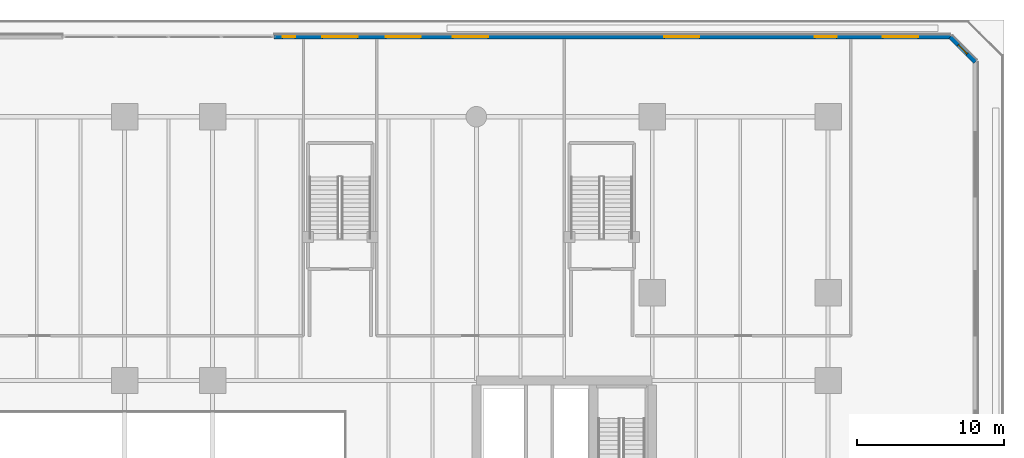
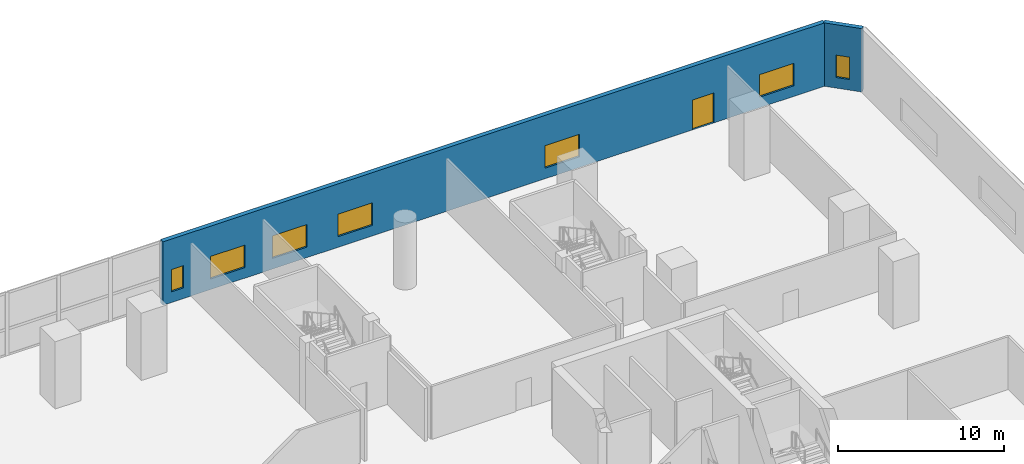
# One storey, part 12 of 24: 7 windows, 2 walls, 1 door, 8 openings.
"""IFC4 building model written with IfcOpenShell, lengths in metres."""

import ifcopenshell
import ifcopenshell.guid

model = None  # the IFC model being written
_history = None  # IfcOwnerHistory: only IFC2X3 demands one
_inside = {}  # id of a spatial element -> (the spatial element, [elements in it])
_under = {}  # id of a project, library or spatial element -> (it, [spatial elements below it])
_declared = {}  # id of a project -> (the project, [libraries it declares])
_typed = {}  # id of a type object -> (the type object, [elements of that type])
_made_of = {}  # id of a material, layer set ... -> (it, [elements and type objects made of it])


def new_model(schema):
    """Start an empty IFC model of exactly this schema.

    Asked for "IFC4X3", IfcOpenShell would pick the latest addendum, in which some entities
    have other attributes; the version numbers below select the first issue.
    IFC2X3 requires an IfcOwnerHistory on every rooted entity: one is made here for all.
    """
    global model, _history
    if schema == "IFC4X3":
        model = ifcopenshell.file(schema_version=(4, 3, 0, 0))
    else:
        model = ifcopenshell.file(schema=schema)
    _inside.clear()
    _under.clear()
    _declared.clear()
    _typed.clear()
    _made_of.clear()
    _history = None
    if model.schema == "IFC2X3":
        org = make("IfcOrganization", Name="unknown")
        user = make(
            "IfcPersonAndOrganization",
            ThePerson=make("IfcPerson", FamilyName="unknown"),
            TheOrganization=org,
        )
        app = make(
            "IfcApplication",
            ApplicationDeveloper=org,
            Version="unknown",
            ApplicationFullName="unknown",
            ApplicationIdentifier="unknown",
        )
        _history = make(
            "IfcOwnerHistory",
            OwningUser=user,
            OwningApplication=app,
            ChangeAction="ADDED",
            CreationDate=0,
        )
    return model


def make(cls, **values):
    """One entity of the class cls with the attributes given. An attribute that is None is left unset."""
    return model.create_entity(
        cls, **{name: value for name, value in values.items() if value is not None}
    )


def rooted(cls, **values):
    """An entity with a GlobalId (a new one), such as an element, a storey or a relation."""
    return make(cls, GlobalId=ifcopenshell.guid.new(), OwnerHistory=_history, **values)


def si_unit(unit_type, name, prefix=None):
    """IfcSIUnit, for example si_unit("LENGTHUNIT", "METRE", prefix="MILLI")."""
    return make("IfcSIUnit", UnitType=unit_type, Prefix=prefix, Name=name)


def assignment(units):
    """IfcUnitAssignment: the units of a project."""
    return None if units is None else make("IfcUnitAssignment", Units=units)


def point(xyz):
    """IfcCartesianPoint."""
    return None if xyz is None else make("IfcCartesianPoint", Coordinates=xyz)


def direction(xyz):
    """IfcDirection."""
    return None if xyz is None else make("IfcDirection", DirectionRatios=xyz)


def frame(location, z_axis=None, x_axis=None):
    """IfcAxis2Placement3D, a coordinate frame: its origin and axes. An axis left out is left unset."""
    return make(
        "IfcAxis2Placement3D",
        Location=point(location),
        Axis=direction(z_axis),
        RefDirection=direction(x_axis),
    )


def frame_2d(location, x_axis=None):
    """IfcAxis2Placement2D, a coordinate frame in the plane: its origin and x axis."""
    return make(
        "IfcAxis2Placement2D", Location=point(location), RefDirection=direction(x_axis)
    )


def origin():
    """The frame at (0, 0, 0) with its axes left unset."""
    return frame((0.0, 0.0, 0.0))


def place(relative_to, where):
    """IfcLocalPlacement: puts the frame where relative to a parent placement (None: the world)."""
    return make(
        "IfcLocalPlacement", PlacementRelTo=relative_to, RelativePlacement=where
    )


def context(
    kind, dimensions, precision=None, world=None, true_north=None, identifier=None
):
    """IfcGeometricRepresentationContext, for example the 3D "Model" context."""
    return make(
        "IfcGeometricRepresentationContext",
        ContextIdentifier=identifier,
        ContextType=kind,
        CoordinateSpaceDimension=dimensions,
        Precision=precision,
        WorldCoordinateSystem=world,
        TrueNorth=true_north,
    )


def subcontext(parent, identifier, kind, view, scale=None):
    """IfcGeometricRepresentationSubContext, for example "Body" below "Model"."""
    return make(
        "IfcGeometricRepresentationSubContext",
        ContextIdentifier=identifier,
        ContextType=kind,
        ParentContext=parent,
        TargetScale=scale,
        TargetView=view,
    )


def project(units=None, contexts=None):
    """IfcProject with its units and contexts."""
    return rooted(
        "IfcProject",
        Name="project",
        RepresentationContexts=contexts,
        UnitsInContext=assignment(units),
    )


def spatial(cls, under=None, at=None, **own):
    """A site, building, storey or space (cls), placed at a placement, below another one or the project."""
    s = rooted(cls, ObjectPlacement=at, **own)
    if under is not None:
        _under.setdefault(under.id(), (under, []))[1].append(s)
    return s


def profile(cls, at=None, kind="AREA", **sizes):
    """A parametric profile (cls). Its sizes go by their IFC names, for example OverallWidth=200.0."""
    return make(cls, ProfileType=kind, Position=at, **sizes)


def rectangle(**sizes):
    """IfcRectangleProfileDef."""
    return profile("IfcRectangleProfileDef", **sizes)


def extrude(swept, where, along, depth):
    """IfcExtrudedAreaSolid: the profile swept, set in the frame where, extruded along a direction by depth."""
    return make(
        "IfcExtrudedAreaSolid",
        SweptArea=swept,
        Position=where,
        ExtrudedDirection=direction(along),
        Depth=depth,
    )


def shape(context_of_items, identifier, shape_type, items):
    """IfcShapeRepresentation: the items that make up one representation, for example the "Body"."""
    return make(
        "IfcShapeRepresentation",
        ContextOfItems=context_of_items,
        RepresentationIdentifier=identifier,
        RepresentationType=shape_type,
        Items=items,
    )


def material(Name=None, Category=None):
    """IfcMaterial."""
    return make("IfcMaterial", Name=Name, Category=Category)


def layer(
    of_material, thickness, ventilated=None, Name=None, Category=None, Priority=None
):
    """IfcMaterialLayer: one layer of a wall or slab, of a material (None: an air gap)."""
    return make(
        "IfcMaterialLayer",
        Material=of_material,
        LayerThickness=thickness,
        IsVentilated=ventilated,
        Name=Name,
        Category=Category,
        Priority=Priority,
    )


def layer_set(layers, Name=None):
    """IfcMaterialLayerSet."""
    return make("IfcMaterialLayerSet", MaterialLayers=layers, LayerSetName=Name)


def made_of(thing, what):
    """Note that an element or type object is made of a material, layer set ...; save() writes the relation."""
    if what is not None:
        _made_of.setdefault(what.id(), (what, []))[1].append(thing)
    return thing


def type_object(cls, material=None, **own):
    """A type object (cls), such as IfcWallType, which elements share."""
    return made_of(rooted(cls, **own), material)


def element(
    cls,
    number,
    at=None,
    inside=None,
    cuts=None,
    type_object=None,
    material=None,
    context=None,
    identifier="Body",
    shape_type=None,
    held_by="IfcProductDefinitionShape",
    body=None,
    shapes=None,
    **own,
):
    """One element of the class cls, such as IfcWall. Its Tag is "e" and its number.

    at: its placement. inside: the storey or other place that contains it. cuts: it is an
    opening in that element (IfcRelVoidsElement). A single representation is given by context,
    identifier, shape_type and body (its items); several are given by shapes. held_by: the class
    of the entity that holds the representations. save() writes the other relations.
    """
    e = rooted(cls, Tag="e%d" % number, ObjectPlacement=at, **own)
    if body is not None:
        shapes = [shape(context, identifier, shape_type, body)]
    if shapes is not None:
        e.Representation = make(held_by, Representations=shapes)
    if inside is not None:
        _inside.setdefault(inside.id(), (inside, []))[1].append(e)
    if cuts is not None:
        rooted(
            "IfcRelVoidsElement", RelatingBuildingElement=cuts, RelatedOpeningElement=e
        )
    if type_object is not None:
        _typed.setdefault(type_object.id(), (type_object, []))[1].append(e)
    return made_of(e, material)


def fill(opening, filler):
    """IfcRelFillsElement: the door or window that sits in an opening."""
    return rooted(
        "IfcRelFillsElement",
        RelatingOpeningElement=opening,
        RelatedBuildingElement=filler,
    )


def aggregate(whole, parts):
    """IfcRelAggregates: a whole, such as a stair, and the parts it consists of."""
    return rooted("IfcRelAggregates", RelatingObject=whole, RelatedObjects=parts)


def save(model, path):
    """Write the relations noted so far, then the file.

    IfcRelAggregates (storeys below a building ...), IfcRelContainedInSpatialStructure (elements
    in a storey), IfcRelDefinesByType, IfcRelAssociatesMaterial and IfcRelDeclares: one each for
    every whole, place, type object, material and project.
    """
    for whole, parts in _under.values():
        aggregate(whole, parts)
    for where, things in _inside.values():
        rooted(
            "IfcRelContainedInSpatialStructure",
            RelatedElements=things,
            RelatingStructure=where,
        )
    for kind, things in _typed.values():
        rooted("IfcRelDefinesByType", RelatedObjects=things, RelatingType=kind)
    for what, things in _made_of.values():
        rooted("IfcRelAssociatesMaterial", RelatedObjects=things, RelatingMaterial=what)
    for by, libraries in _declared.values():
        rooted("IfcRelDeclares", RelatingContext=by, RelatedDefinitions=libraries)
    model.write(path)


model = new_model("IFC4")

# Units and contexts
model_context = context("Model", 3, precision=1e-05, world=origin(), true_north=direction((0.0, 1.0)))
body_context = subcontext(model_context, "Body", "Model", "MODEL_VIEW")
ifc_project = project(units=[si_unit("LENGTHUNIT", "METRE"), si_unit("AREAUNIT", "SQUARE_METRE"), si_unit("VOLUMEUNIT", "CUBIC_METRE"), si_unit("PLANEANGLEUNIT", "RADIAN"), si_unit("MASSUNIT", "GRAM", prefix="KILO")], contexts=[model_context])

# Site, building, storey
site_placement = place(None, origin())
site = spatial("IfcSite", under=ifc_project, at=site_placement, CompositionType="ELEMENT")
building_placement = place(site_placement, origin())
building = spatial("IfcBuilding", under=site, at=building_placement, Name="Tanjung Sevakor Pilgrim Tower", CompositionType="ELEMENT")
storey_placement = place(building_placement, frame((0.0, 0.0, 4.949951171875)))
storey = spatial("IfcBuildingStorey", under=building, at=storey_placement, Name="L02", CompositionType="ELEMENT", Elevation=4.949951171875)

# Wall, opening, window
ifc_material_1 = material(Name="Precast concrete C45/55", Category="concrete")
ifc_layer = layer(ifc_material_1, 0.300048828125)
ifc_layer_set = layer_set([ifc_layer], Name="WT-EW-STN1")
wall_type = type_object("IfcWallType", Name="WT-EW-STN1", PredefinedType="SOLIDWALL", material=ifc_layer_set)
wall_1_placement = place(storey_placement, frame((112.050048828125, 64.337890625, 0.0), z_axis=(0.0, 0.0, 1.0), x_axis=(-0.707106781187, 0.707106781187, 0.0)))
wall_1 = element("IfcWall", 1, at=wall_1_placement, inside=storey, type_object=wall_type, Name="L02 MAIN Exterior Wall 4", PredefinedType="SOLIDWALL", context=body_context, shape_type="SweptSolid", body=[
    extrude(rectangle(XDim=2.42138671875, YDim=0.300048828125, at=frame_2d((1.210693359375, 0.0))), origin(), (0.0, 0.0, 1.0), 4.669921875),
])
opening_1_placement = place(wall_1_placement, frame((0.78564453125, 0.0, 0.780029296875)))
opening_1 = element("IfcOpeningElement", 2, at=opening_1_placement, cuts=wall_1, Name="Opening WN-SLM", PredefinedType="OPENING", context=body_context, shape_type="SweptSolid", body=[
    extrude(rectangle(XDim=0.85009765625, YDim=1.64990234375, at=frame_2d((0.425048828125, 0.824951171875))), frame((0.0, 0.159912109375, 0.0), z_axis=(0.0, -1.0, 0.0), x_axis=(1.0, 0.0, 0.0)), (0.0, 0.0, 1.0), 0.320068359375),
])
ifc_material_2 = material(Name="Thermally Broken Aluminium and Low-E Glass", Category="aluminium")
window_type_1 = type_object("IfcWindowType", Name="WTYP-WN-SLM", PartitioningType="SINGLE_PANEL", PredefinedType="WINDOW", material=ifc_material_2)
window_1_placement = place(opening_1_placement, origin())
window_1 = element("IfcWindow", 3, at=window_1_placement, inside=storey, type_object=window_type_1, Name="L02 Facade Window 01", OverallHeight=1.64990234375, OverallWidth=0.85009765625, PartitioningType="SINGLE_PANEL", PredefinedType="WINDOW", context=body_context, shape_type="SweptSolid", body=[
    extrude(rectangle(XDim=0.85009765625, YDim=1.64990234375, at=frame_2d((0.425048828125, 0.824951171875))), frame((0.0, 0.030029296875, 0.0), z_axis=(0.0, -1.0, 0.0), x_axis=(1.0, 0.0, 0.0)), (0.0, 0.0, 1.0), 0.06005859375),
])
fill(opening_1, window_1)

# Wall, openings, door, windows
wall_2_placement = place(storey_placement, frame((110.337890625, 66.050048828125, 0.0), z_axis=(0.0, 0.0, 1.0), x_axis=(-1.0, 0.0, 0.0)))
wall_2 = element("IfcWall", 4, at=wall_2_placement, inside=storey, type_object=wall_type, Name="L02 Cascading Podium Limestone Wall N1", PredefinedType="SOLIDWALL", context=body_context, shape_type="SweptSolid", body=[
    extrude(rectangle(XDim=46.137939453125, YDim=0.300048828125, at=frame_2d((23.06884765625, 0.0))), origin(), (0.0, 0.0, 1.0), 4.669921875),
])
opening_2_placement = place(wall_2_placement, frame((7.75, 0.0, 0.0)))
opening_2 = element("IfcOpeningElement", 5, at=opening_2_placement, cuts=wall_2, Name="Opening ED-TER-1500", PredefinedType="OPENING", context=body_context, shape_type="SweptSolid", body=[
    extrude(rectangle(XDim=1.5, YDim=2.199951171875, at=frame_2d((0.75, 1.10009765625))), frame((0.0, 0.159912109375, 0.0), z_axis=(0.0, -1.0, 0.0), x_axis=(1.0, 0.0, 0.0)), (0.0, 0.0, 1.0), 0.320068359375),
])
opening_3_placement = place(wall_2_placement, frame((44.712890625, 0.0, 0.780029296875)))
opening_3 = element("IfcOpeningElement", 6, at=opening_3_placement, cuts=wall_2, Name="Opening WN-SLM", PredefinedType="OPENING", context=body_context, shape_type="SweptSolid", body=[
    extrude(rectangle(XDim=0.85009765625, YDim=1.64990234375, at=frame_2d((0.425048828125, 0.824951171875))), frame((0.0, 0.159912109375, 0.0), z_axis=(0.0, -1.0, 0.0), x_axis=(1.0, 0.0, 0.0)), (0.0, 0.0, 1.0), 0.320068359375),
])
opening_4_placement = place(wall_2_placement, frame((31.537841796875, 0.0, 0.780029296875)))
opening_4 = element("IfcOpeningElement", 7, at=opening_4_placement, cuts=wall_2, Name="Opening WN-P1-1660", PredefinedType="OPENING", context=body_context, shape_type="SweptSolid", body=[
    extrude(rectangle(XDim=2.39990234375, YDim=1.659912109375, at=frame_2d((1.199951171875, 0.830078125))), frame((0.0, 0.159912109375, 0.0), z_axis=(0.0, -1.0, 0.0), x_axis=(1.0, 0.0, 0.0)), (0.0, 0.0, 1.0), 0.320068359375),
])
opening_5_placement = place(wall_2_placement, frame((2.194091796875, 0.0, 0.780029296875)))
opening_5 = element("IfcOpeningElement", 8, at=opening_5_placement, cuts=wall_2, Name="Opening WN-P1-1660", PredefinedType="OPENING", context=body_context, shape_type="SweptSolid", body=[
    extrude(rectangle(XDim=2.39990234375, YDim=1.659912109375, at=frame_2d((1.199951171875, 0.830078125))), frame((0.0, 0.159912109375, 0.0), z_axis=(0.0, -1.0, 0.0), x_axis=(1.0, 0.0, 0.0)), (0.0, 0.0, 1.0), 0.320068359375),
])
opening_6_placement = place(wall_2_placement, frame((40.43798828125, 0.0, 0.780029296875)))
opening_6 = element("IfcOpeningElement", 9, at=opening_6_placement, cuts=wall_2, Name="Opening WN-P1-1660", PredefinedType="OPENING", context=body_context, shape_type="SweptSolid", body=[
    extrude(rectangle(XDim=2.39990234375, YDim=1.659912109375, at=frame_2d((1.199951171875, 0.830078125))), frame((0.0, 0.159912109375, 0.0), z_axis=(0.0, -1.0, 0.0), x_axis=(1.0, 0.0, 0.0)), (0.0, 0.0, 1.0), 0.320068359375),
])
opening_7_placement = place(wall_2_placement, frame((17.118896484375, 0.0, 0.780029296875)))
opening_7 = element("IfcOpeningElement", 10, at=opening_7_placement, cuts=wall_2, Name="Opening WN-P1-1660", PredefinedType="OPENING", context=body_context, shape_type="SweptSolid", body=[
    extrude(rectangle(XDim=2.39990234375, YDim=1.659912109375, at=frame_2d((1.199951171875, 0.830078125))), frame((0.0, 0.159912109375, 0.0), z_axis=(0.0, -1.0, 0.0), x_axis=(1.0, 0.0, 0.0)), (0.0, 0.0, 1.0), 0.320068359375),
])
opening_8_placement = place(wall_2_placement, frame((36.118896484375, 0.0, 0.780029296875)))
opening_8 = element("IfcOpeningElement", 11, at=opening_8_placement, cuts=wall_2, Name="Opening WN-P1-1660", PredefinedType="OPENING", context=body_context, shape_type="SweptSolid", body=[
    extrude(rectangle(XDim=2.39990234375, YDim=1.659912109375, at=frame_2d((1.199951171875, 0.830078125))), frame((0.0, 0.159912109375, 0.0), z_axis=(0.0, -1.0, 0.0), x_axis=(1.0, 0.0, 0.0)), (0.0, 0.0, 1.0), 0.320068359375),
])
ifc_material_3 = material(Name="Anodised Aluminium and Laminated Glass", Category="aluminium")
door_type = type_object("IfcDoorType", Name="DTYP-ED-TER-1500", OperationType="DOUBLE_DOOR_SINGLE_SWING", PredefinedType="DOOR", material=ifc_material_3)
door_placement = place(opening_2_placement, frame((1.5, 0.0, 0.0), z_axis=(0.0, 0.0, 1.0), x_axis=(-1.0, 0.0, 0.0)))
door = element("IfcDoor", 12, at=door_placement, inside=storey, type_object=door_type, Name="L02 Cascading Garden Terrace Door N", OperationType="SINGLE_SWING_LEFT", OverallHeight=2.199951171875, OverallWidth=1.5, PredefinedType="DOOR", context=body_context, shape_type="SweptSolid", body=[
    extrude(rectangle(XDim=1.5, YDim=2.199951171875, at=frame_2d((0.75, 1.10009765625))), frame((0.0, 0.02490234375, 0.0), z_axis=(0.0, -1.0, 0.0), x_axis=(1.0, 0.0, 0.0)), (0.0, 0.0, 1.0), 0.050048828125),
])
fill(opening_2, door)
ifc_material_4 = material(Name="Thermally Broken Aluminium and Low-E Glass", Category="aluminium")
window_type_2 = type_object("IfcWindowType", Name="WTYP-WN-P1-1660", PartitioningType="DOUBLE_PANEL_VERTICAL", PredefinedType="WINDOW", material=ifc_material_4)
window_2_placement = place(opening_4_placement, origin())
window_2 = element("IfcWindow", 13, at=window_2_placement, inside=storey, type_object=window_type_2, Name="L02 Facade Window 02", OverallHeight=1.659912109375, OverallWidth=2.39990234375, PartitioningType="SINGLE_PANEL", PredefinedType="WINDOW", context=body_context, shape_type="SweptSolid", body=[
    extrude(rectangle(XDim=2.39990234375, YDim=1.659912109375, at=frame_2d((1.199951171875, 0.830078125))), frame((0.0, 0.030029296875, 0.0), z_axis=(0.0, -1.0, 0.0), x_axis=(1.0, 0.0, 0.0)), (0.0, 0.0, 1.0), 0.06005859375),
])
fill(opening_4, window_2)
window_3_placement = place(opening_5_placement, origin())
window_3 = element("IfcWindow", 14, at=window_3_placement, inside=storey, type_object=window_type_2, Name="L02 Facade Window 03", OverallHeight=1.659912109375, OverallWidth=2.39990234375, PartitioningType="SINGLE_PANEL", PredefinedType="WINDOW", context=body_context, shape_type="SweptSolid", body=[
    extrude(rectangle(XDim=2.39990234375, YDim=1.659912109375, at=frame_2d((1.199951171875, 0.830078125))), frame((0.0, 0.030029296875, 0.0), z_axis=(0.0, -1.0, 0.0), x_axis=(1.0, 0.0, 0.0)), (0.0, 0.0, 1.0), 0.06005859375),
])
fill(opening_5, window_3)
window_4_placement = place(opening_6_placement, origin())
window_4 = element("IfcWindow", 15, at=window_4_placement, inside=storey, type_object=window_type_2, Name="L02 Facade Window 04", OverallHeight=1.659912109375, OverallWidth=2.39990234375, PartitioningType="SINGLE_PANEL", PredefinedType="WINDOW", context=body_context, shape_type="SweptSolid", body=[
    extrude(rectangle(XDim=2.39990234375, YDim=1.659912109375, at=frame_2d((1.199951171875, 0.830078125))), frame((0.0, 0.030029296875, 0.0), z_axis=(0.0, -1.0, 0.0), x_axis=(1.0, 0.0, 0.0)), (0.0, 0.0, 1.0), 0.06005859375),
])
fill(opening_6, window_4)
window_5_placement = place(opening_7_placement, origin())
window_5 = element("IfcWindow", 16, at=window_5_placement, inside=storey, type_object=window_type_2, Name="L02 Facade Window 05", OverallHeight=1.659912109375, OverallWidth=2.39990234375, PartitioningType="SINGLE_PANEL", PredefinedType="WINDOW", context=body_context, shape_type="SweptSolid", body=[
    extrude(rectangle(XDim=2.39990234375, YDim=1.659912109375, at=frame_2d((1.199951171875, 0.830078125))), frame((0.0, 0.030029296875, 0.0), z_axis=(0.0, -1.0, 0.0), x_axis=(1.0, 0.0, 0.0)), (0.0, 0.0, 1.0), 0.06005859375),
])
fill(opening_7, window_5)
window_6_placement = place(opening_8_placement, origin())
window_6 = element("IfcWindow", 17, at=window_6_placement, inside=storey, type_object=window_type_2, Name="L02 Facade Window 06", OverallHeight=1.659912109375, OverallWidth=2.39990234375, PartitioningType="SINGLE_PANEL", PredefinedType="WINDOW", context=body_context, shape_type="SweptSolid", body=[
    extrude(rectangle(XDim=2.39990234375, YDim=1.659912109375, at=frame_2d((1.199951171875, 0.830078125))), frame((0.0, 0.030029296875, 0.0), z_axis=(0.0, -1.0, 0.0), x_axis=(1.0, 0.0, 0.0)), (0.0, 0.0, 1.0), 0.06005859375),
])
fill(opening_8, window_6)
window_7_placement = place(opening_3_placement, origin())
window_7 = element("IfcWindow", 18, at=window_7_placement, inside=storey, type_object=window_type_1, Name="L02 Facade Window 01", OverallHeight=1.64990234375, OverallWidth=0.85009765625, PartitioningType="SINGLE_PANEL", PredefinedType="WINDOW", context=body_context, shape_type="SweptSolid", body=[
    extrude(rectangle(XDim=0.85009765625, YDim=1.64990234375, at=frame_2d((0.425048828125, 0.824951171875))), frame((0.0, 0.030029296875, 0.0), z_axis=(0.0, -1.0, 0.0), x_axis=(1.0, 0.0, 0.0)), (0.0, 0.0, 1.0), 0.06005859375),
])
fill(opening_3, window_7)

save(model, "model.ifc")
